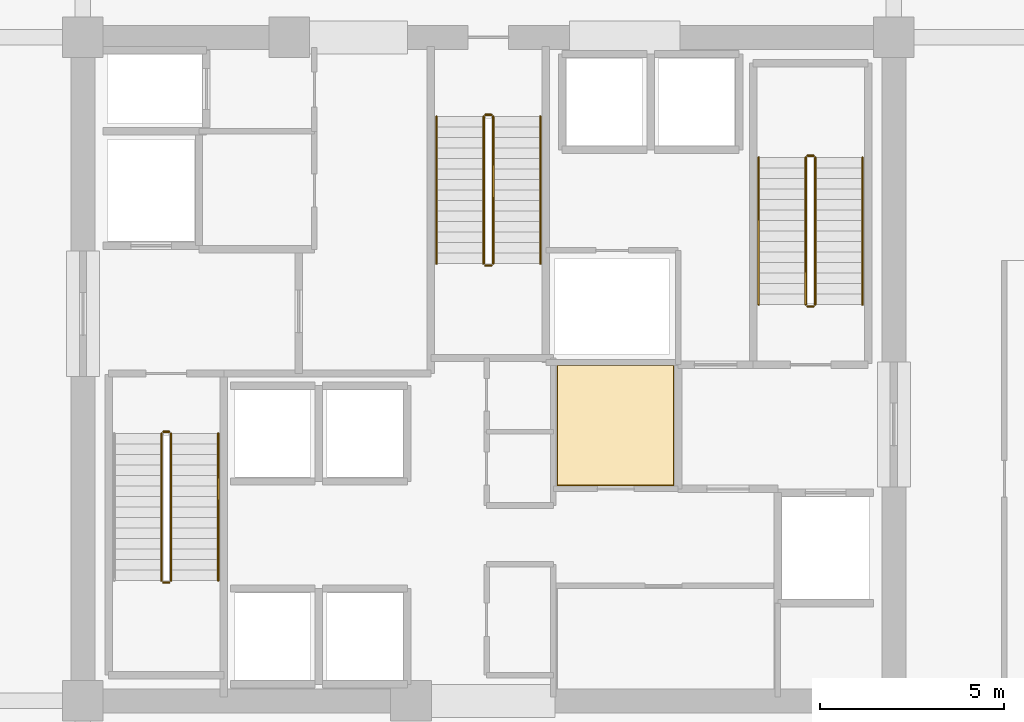
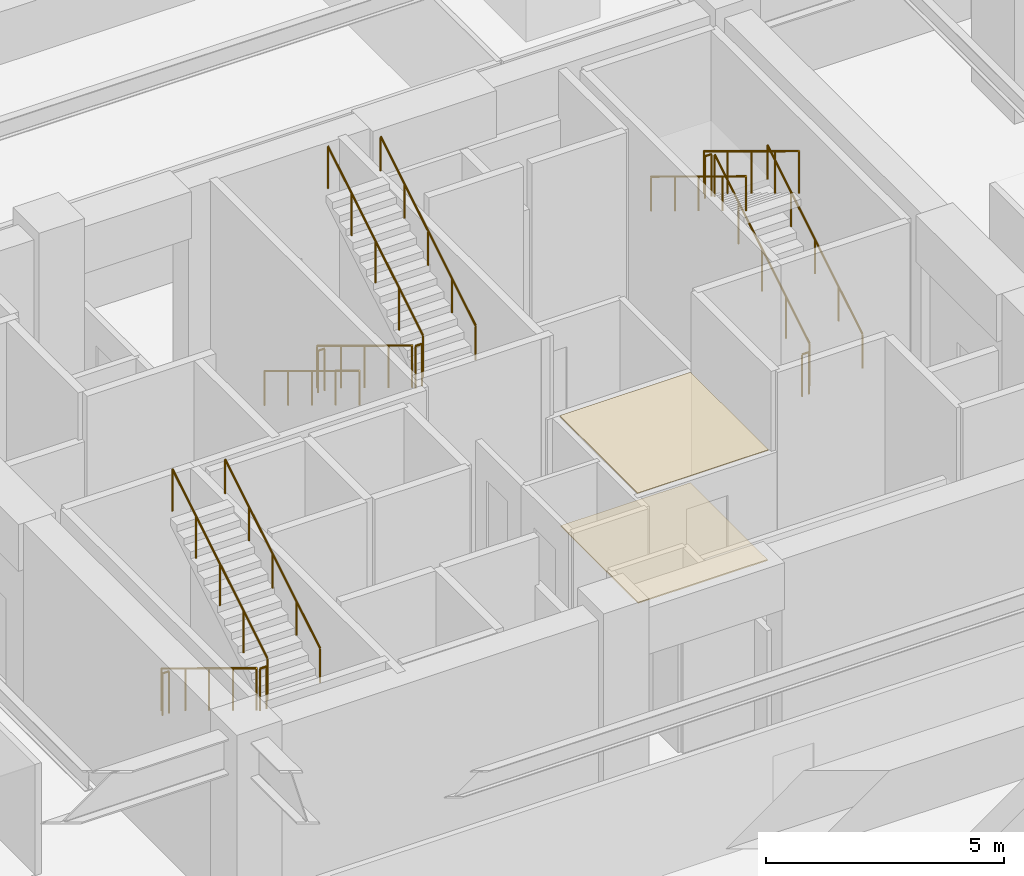
# One storey, part 34 of 35: 17 railings, 2 coverings.
"""IFC4 building model written with IfcOpenShell, lengths in metres."""

from ifc_helpers import new_model, si_unit, direction, frame, origin, origin_2d, place, context, subcontext, project, spatial, polyline, circle, outline, extrude, material, layer, layer_set, type_object, element, save


model = new_model("IFC4")

# Units and contexts
model_context = context("Model", 3, precision=1e-05, world=origin(), true_north=direction((0.0, 1.0)))
body_context = subcontext(model_context, "Body", "Model", "MODEL_VIEW")
ifc_project = project(units=[si_unit("LENGTHUNIT", "METRE"), si_unit("AREAUNIT", "SQUARE_METRE"), si_unit("VOLUMEUNIT", "CUBIC_METRE"), si_unit("PLANEANGLEUNIT", "RADIAN"), si_unit("MASSUNIT", "GRAM", prefix="KILO")], contexts=[model_context])

# Site, building, storey
site_placement = place(None, origin())
site = spatial("IfcSite", under=ifc_project, at=site_placement, CompositionType="ELEMENT")
building_placement = place(site_placement, origin())
building = spatial("IfcBuilding", under=site, at=building_placement, Name="Kovane Verandah Tower", CompositionType="ELEMENT")
storey_placement = place(building_placement, frame((0.0, 0.0, 16.39990234375)))
storey = spatial("IfcBuildingStorey", under=building, at=storey_placement, Name="L03", CompositionType="ELEMENT", Elevation=16.39990234375)

# Coverings
ifc_material_1 = material(Name="Perforated Acoustic Mineral-Fibre Ceiling Tile", Category="gypsum")
ifc_layer_1 = layer(ifc_material_1, 0.02490234375)
ifc_layer_set_1 = layer_set([ifc_layer_1], Name="Perforated Acoustic Mineral-Fibre Ceiling Tile")
covering_type_1 = type_object("IfcCoveringType", Name="CV-CEIL-25", PredefinedType="CEILING", material=ifc_layer_set_1)
covering_1_placement = place(storey_placement, frame((0.0, 0.0, 2.8251953125)))
element("IfcCovering", 1, at=covering_1_placement, inside=storey, type_object=covering_type_1, Name="L03 Document Archive Room Acoustic Ceiling", PredefinedType="CEILING", context=body_context, shape_type="SweptSolid", body=[
    extrude(outline(polyline([(41.864990234375, 24.3349609375), (45.034912109375, 24.3349609375), (45.034912109375, 27.614990234375), (41.864990234375, 27.614990234375), (41.864990234375, 24.3349609375)])), origin(), (0.0, 0.0, 1.0), 0.02490234375),
])
ifc_material_2 = material(Name="Polished Terrazzo and Raised-Access Carpet Tile Finish", Category="concrete")
ifc_layer_2 = layer(ifc_material_2, 0.030029296875)
ifc_layer_set_2 = layer_set([ifc_layer_2], Name="Polished Terrazzo and Raised-Access Carpet Tile Finish")
covering_type_2 = type_object("IfcCoveringType", Name="CV-FLOR-30", PredefinedType="FLOORING", material=ifc_layer_set_2)
covering_2_placement = place(storey_placement, origin())
element("IfcCovering", 2, at=covering_2_placement, inside=storey, type_object=covering_type_2, Name="L03 Document Archive Room Floor Finish", PredefinedType="FLOORING", context=body_context, shape_type="SweptSolid", body=[
    extrude(outline(polyline([(41.8798828125, 24.35009765625), (45.02001953125, 24.35009765625), (45.02001953125, 27.60009765625), (41.8798828125, 27.60009765625), (41.8798828125, 24.35009765625)])), origin(), (0.0, 0.0, 1.0), 0.030029296875),
])

# Railings
ifc_material_3 = material(Name="Brushed Stainless Steel Handrail", Category="steel")
railing_type_1 = type_object("IfcRailingType", Name="RL-HAND-920", PredefinedType="HANDRAIL", material=ifc_material_3)
for number, where, name in (
    (3, (32.669921875, 21.760009765625, 2.7734375), "L03 ST-01 stair handrail 2"),
    (4, (50.14990234375, 29.25, 0.17333984375), "L03 ST-02 stair handrail 1"),
):
    element("IfcRailing", number, at=place(storey_placement, frame(where)), inside=storey, type_object=railing_type_1, Name=name, PredefinedType="HANDRAIL", context=body_context, shape_type="SweptSolid", body=[
        extrude(circle(Radius=0.02392578125, at=origin_2d()), frame((0.0, 0.0, 0.8759765625), z_axis=(0.0, 0.854382233033, 0.519645071061), x_axis=(-1.0, 0.0, 0.0)), (0.0, 0.0, 1.0), 4.669921875),
        extrude(circle(Radius=0.02099609375, at=origin_2d()), origin(), (0.0, 0.0, 1.0), 0.851806640625),
        extrude(circle(Radius=0.02099609375, at=origin_2d()), frame((0.0, 0.99755859375, 0.606689453125)), (0.0, 0.0, 1.0), 0.851806640625),
        extrude(circle(Radius=0.02099609375, at=origin_2d()), frame((0.0, 1.9951171875, 1.21337890625)), (0.0, 0.0, 1.0), 0.851806640625),
        extrude(circle(Radius=0.02099609375, at=origin_2d()), frame((0.0, 2.992431640625, 1.820068359375)), (0.0, 0.0, 1.0), 0.851806640625),
        extrude(circle(Radius=0.02099609375, at=origin_2d()), frame((0.0, 3.989990234375, 2.4267578125)), (0.0, 0.0, 1.0), 0.851806640625),
    ])
for number, where, name in (
    (5, (47.330078125, 33.239990234375, 2.7734375), "L03 ST-02 stair handrail 2"),
    (6, (38.590087890625, 34.35009765625, 0.17333984375), "L03 ST-03 stair handrail 1"),
):
    element("IfcRailing", number, at=place(storey_placement, frame(where)), inside=storey, type_object=railing_type_1, Name=name, PredefinedType="HANDRAIL", context=body_context, shape_type="SweptSolid", body=[
        extrude(circle(Radius=0.02392578125, at=origin_2d()), frame((0.0, 0.0, 0.8759765625), z_axis=(0.0, -0.854382233033, 0.519645071061), x_axis=(1.0, 0.0, 0.0)), (0.0, 0.0, 1.0), 4.669921875),
        extrude(circle(Radius=0.02099609375, at=origin_2d()), origin(), (0.0, 0.0, 1.0), 0.851806640625),
        extrude(circle(Radius=0.02099609375, at=origin_2d()), frame((0.0, -0.99755859375, 0.606689453125)), (0.0, 0.0, 1.0), 0.851806640625),
        extrude(circle(Radius=0.02099609375, at=origin_2d()), frame((0.0, -1.9951171875, 1.21337890625)), (0.0, 0.0, 1.0), 0.851806640625),
        extrude(circle(Radius=0.02099609375, at=origin_2d()), frame((0.0, -2.992431640625, 1.820068359375)), (0.0, 0.0, 1.0), 0.851806640625),
        extrude(circle(Radius=0.02099609375, at=origin_2d()), frame((0.0, -3.989990234375, 2.4267578125)), (0.0, 0.0, 1.0), 0.851806640625),
    ])
railing_1_placement = place(storey_placement, frame((41.409912109375, 30.360107421875, 2.7734375)))
element("IfcRailing", 7, at=railing_1_placement, inside=storey, type_object=railing_type_1, Name="L03 ST-03 stair handrail 2", PredefinedType="HANDRAIL", context=body_context, shape_type="SweptSolid", body=[
    extrude(circle(Radius=0.02392578125, at=origin_2d()), frame((0.0, 0.0, 0.8759765625), z_axis=(0.0, 0.854382233033, 0.519645071061), x_axis=(-1.0, 0.0, 0.0)), (0.0, 0.0, 1.0), 4.669921875),
    extrude(circle(Radius=0.02099609375, at=origin_2d()), origin(), (0.0, 0.0, 1.0), 0.851806640625),
    extrude(circle(Radius=0.02099609375, at=origin_2d()), frame((0.0, 0.99755859375, 0.606689453125)), (0.0, 0.0, 1.0), 0.851806640625),
    extrude(circle(Radius=0.02099609375, at=origin_2d()), frame((0.0, 1.9951171875, 1.21337890625)), (0.0, 0.0, 1.0), 0.851806640625),
    extrude(circle(Radius=0.02099609375, at=origin_2d()), frame((0.0, 2.992431640625, 1.820068359375)), (0.0, 0.0, 1.0), 0.851806640625),
    extrude(circle(Radius=0.02099609375, at=origin_2d()), frame((0.0, 3.989990234375, 2.4267578125)), (0.0, 0.0, 1.0), 0.851806640625),
])
ifc_material_4 = material(Name="Painted Steel Stairwell Guardrail", Category="steel")
railing_type_2 = type_object("IfcRailingType", Name="RL-STGUARD-1120", PredefinedType="GUARDRAIL", material=ifc_material_4)
railing_2_placement = place(storey_placement, frame((31.1298828125, 25.75, 0.17333984375)))
element("IfcRailing", 8, at=railing_2_placement, inside=storey, type_object=railing_type_2, Name="L03 ST-01 stair guard 1", PredefinedType="GUARDRAIL", context=body_context, shape_type="SweptSolid", body=[
    extrude(circle(Radius=0.02392578125, at=origin_2d()), frame((0.0, 0.0, 1.076171875), z_axis=(0.0, -0.854382233033, 0.519645071061), x_axis=(1.0, 0.0, 0.0)), (0.0, 0.0, 1.0), 4.669921875),
    extrude(circle(Radius=0.02099609375, at=origin_2d()), origin(), (0.0, 0.0, 1.0), 1.052001953125),
    extrude(circle(Radius=0.02099609375, at=origin_2d()), frame((0.0, -0.99755859375, 0.606689453125)), (0.0, 0.0, 1.0), 1.052001953125),
    extrude(circle(Radius=0.02099609375, at=origin_2d()), frame((0.0, -1.9951171875, 1.21337890625)), (0.0, 0.0, 1.0), 1.052001953125),
    extrude(circle(Radius=0.02099609375, at=origin_2d()), frame((0.0, -2.992431640625, 1.820068359375)), (0.0, 0.0, 1.0), 1.052001953125),
    extrude(circle(Radius=0.02099609375, at=origin_2d()), frame((0.0, -3.989990234375, 2.4267578125)), (0.0, 0.0, 1.0), 1.052001953125),
])
railing_3_placement = place(storey_placement, frame((31.179931640625, 21.7099609375, 2.60009765625)))
element("IfcRailing", 9, at=railing_3_placement, inside=storey, type_object=railing_type_2, Name="L03 ST-01 stair guard 2", PredefinedType="GUARDRAIL", context=body_context, shape_type="SweptSolid", body=[
    extrude(circle(Radius=0.02392578125, at=origin_2d()), frame((0.0, 0.0, 1.076171875), z_axis=(1.0, 0.0, 0.0), x_axis=(0.0, 1.0, 0.0)), (0.0, 0.0, 1.0), 0.16015625),
    extrude(circle(Radius=0.02099609375, at=origin_2d()), origin(), (0.0, 0.0, 1.0), 1.052001953125),
    extrude(circle(Radius=0.02099609375, at=origin_2d()), frame((0.16015625, 0.0, 0.0)), (0.0, 0.0, 1.0), 1.052001953125),
])
railing_4_placement = place(storey_placement, frame((31.389892578125, 21.760009765625, 2.7734375)))
element("IfcRailing", 10, at=railing_4_placement, inside=storey, type_object=railing_type_2, Name="L03 ST-01 stair guard 3", PredefinedType="GUARDRAIL", context=body_context, shape_type="SweptSolid", body=[
    extrude(circle(Radius=0.02392578125, at=origin_2d()), frame((0.0, 0.0, 1.076171875), z_axis=(0.0, 0.854382233033, 0.519645071061), x_axis=(-1.0, 0.0, 0.0)), (0.0, 0.0, 1.0), 4.669921875),
    extrude(circle(Radius=0.02099609375, at=origin_2d()), origin(), (0.0, 0.0, 1.0), 1.052001953125),
    extrude(circle(Radius=0.02099609375, at=origin_2d()), frame((0.0, 0.99755859375, 0.606689453125)), (0.0, 0.0, 1.0), 1.052001953125),
    extrude(circle(Radius=0.02099609375, at=origin_2d()), frame((0.0, 1.9951171875, 1.21337890625)), (0.0, 0.0, 1.0), 1.052001953125),
    extrude(circle(Radius=0.02099609375, at=origin_2d()), frame((0.0, 2.992431640625, 1.820068359375)), (0.0, 0.0, 1.0), 1.052001953125),
    extrude(circle(Radius=0.02099609375, at=origin_2d()), frame((0.0, 3.989990234375, 2.4267578125)), (0.0, 0.0, 1.0), 1.052001953125),
])
railing_5_placement = place(storey_placement, frame((31.179931640625, 25.800048828125, 0.0)))
element("IfcRailing", 11, at=railing_5_placement, inside=storey, type_object=railing_type_2, Name="L03 ST-01 stair guard 4", PredefinedType="GUARDRAIL", context=body_context, shape_type="SweptSolid", body=[
    extrude(circle(Radius=0.02392578125, at=origin_2d()), frame((0.0, 0.0, 1.076171875), z_axis=(1.0, 0.0, 0.0), x_axis=(0.0, 1.0, 0.0)), (0.0, 0.0, 1.0), 0.16015625),
    extrude(circle(Radius=0.02099609375, at=origin_2d()), origin(), (0.0, 0.0, 1.0), 1.052001953125),
    extrude(circle(Radius=0.02099609375, at=origin_2d()), frame((0.16015625, 0.0, 0.0)), (0.0, 0.0, 1.0), 1.052001953125),
])
railing_6_placement = place(storey_placement, frame((48.8701171875, 29.25, 0.17333984375)))
element("IfcRailing", 12, at=railing_6_placement, inside=storey, type_object=railing_type_2, Name="L03 ST-02 stair guard 1", PredefinedType="GUARDRAIL", context=body_context, shape_type="SweptSolid", body=[
    extrude(circle(Radius=0.02392578125, at=origin_2d()), frame((0.0, 0.0, 1.076171875), z_axis=(0.0, 0.854382233033, 0.519645071061), x_axis=(-1.0, 0.0, 0.0)), (0.0, 0.0, 1.0), 4.669921875),
    extrude(circle(Radius=0.02099609375, at=origin_2d()), origin(), (0.0, 0.0, 1.0), 1.052001953125),
    extrude(circle(Radius=0.02099609375, at=origin_2d()), frame((0.0, 0.99755859375, 0.606689453125)), (0.0, 0.0, 1.0), 1.052001953125),
    extrude(circle(Radius=0.02099609375, at=origin_2d()), frame((0.0, 1.9951171875, 1.21337890625)), (0.0, 0.0, 1.0), 1.052001953125),
    extrude(circle(Radius=0.02099609375, at=origin_2d()), frame((0.0, 2.992431640625, 1.820068359375)), (0.0, 0.0, 1.0), 1.052001953125),
    extrude(circle(Radius=0.02099609375, at=origin_2d()), frame((0.0, 3.989990234375, 2.4267578125)), (0.0, 0.0, 1.0), 1.052001953125),
])
railing_7_placement = place(storey_placement, frame((48.820068359375, 33.2900390625, 2.60009765625)))
element("IfcRailing", 13, at=railing_7_placement, inside=storey, type_object=railing_type_2, Name="L03 ST-02 stair guard 2", PredefinedType="GUARDRAIL", context=body_context, shape_type="SweptSolid", body=[
    extrude(circle(Radius=0.02392578125, at=origin_2d()), frame((0.0, 0.0, 1.076171875), z_axis=(-1.0, 0.0, 0.0), x_axis=(0.0, -1.0, 0.0)), (0.0, 0.0, 1.0), 0.16015625),
    extrude(circle(Radius=0.02099609375, at=origin_2d()), origin(), (0.0, 0.0, 1.0), 1.052001953125),
    extrude(circle(Radius=0.02099609375, at=origin_2d()), frame((-0.16015625, 0.0, 0.0)), (0.0, 0.0, 1.0), 1.052001953125),
])
railing_8_placement = place(storey_placement, frame((48.610107421875, 33.239990234375, 2.7734375)))
element("IfcRailing", 14, at=railing_8_placement, inside=storey, type_object=railing_type_2, Name="L03 ST-02 stair guard 3", PredefinedType="GUARDRAIL", context=body_context, shape_type="SweptSolid", body=[
    extrude(circle(Radius=0.02392578125, at=origin_2d()), frame((0.0, 0.0, 1.076171875), z_axis=(0.0, -0.854382233033, 0.519645071061), x_axis=(1.0, 0.0, 0.0)), (0.0, 0.0, 1.0), 4.669921875),
    extrude(circle(Radius=0.02099609375, at=origin_2d()), origin(), (0.0, 0.0, 1.0), 1.052001953125),
    extrude(circle(Radius=0.02099609375, at=origin_2d()), frame((0.0, -0.99755859375, 0.606689453125)), (0.0, 0.0, 1.0), 1.052001953125),
    extrude(circle(Radius=0.02099609375, at=origin_2d()), frame((0.0, -1.9951171875, 1.21337890625)), (0.0, 0.0, 1.0), 1.052001953125),
    extrude(circle(Radius=0.02099609375, at=origin_2d()), frame((0.0, -2.992431640625, 1.820068359375)), (0.0, 0.0, 1.0), 1.052001953125),
    extrude(circle(Radius=0.02099609375, at=origin_2d()), frame((0.0, -3.989990234375, 2.4267578125)), (0.0, 0.0, 1.0), 1.052001953125),
])
railing_9_placement = place(storey_placement, frame((48.820068359375, 29.199951171875, 0.0)))
element("IfcRailing", 15, at=railing_9_placement, inside=storey, type_object=railing_type_2, Name="L03 ST-02 stair guard 4", PredefinedType="GUARDRAIL", context=body_context, shape_type="SweptSolid", body=[
    extrude(circle(Radius=0.02392578125, at=origin_2d()), frame((0.0, 0.0, 1.076171875), z_axis=(-1.0, 0.0, 0.0), x_axis=(0.0, -1.0, 0.0)), (0.0, 0.0, 1.0), 0.16015625),
    extrude(circle(Radius=0.02099609375, at=origin_2d()), origin(), (0.0, 0.0, 1.0), 1.052001953125),
    extrude(circle(Radius=0.02099609375, at=origin_2d()), frame((-0.16015625, 0.0, 0.0)), (0.0, 0.0, 1.0), 1.052001953125),
])
railing_10_placement = place(storey_placement, frame((39.8701171875, 34.35009765625, 0.17333984375)))
element("IfcRailing", 16, at=railing_10_placement, inside=storey, type_object=railing_type_2, Name="L03 ST-03 stair guard 1", PredefinedType="GUARDRAIL", context=body_context, shape_type="SweptSolid", body=[
    extrude(circle(Radius=0.02392578125, at=origin_2d()), frame((0.0, 0.0, 1.076171875), z_axis=(0.0, -0.854382233033, 0.519645071061), x_axis=(1.0, 0.0, 0.0)), (0.0, 0.0, 1.0), 4.669921875),
    extrude(circle(Radius=0.02099609375, at=origin_2d()), origin(), (0.0, 0.0, 1.0), 1.052001953125),
    extrude(circle(Radius=0.02099609375, at=origin_2d()), frame((0.0, -0.99755859375, 0.606689453125)), (0.0, 0.0, 1.0), 1.052001953125),
    extrude(circle(Radius=0.02099609375, at=origin_2d()), frame((0.0, -1.9951171875, 1.21337890625)), (0.0, 0.0, 1.0), 1.052001953125),
    extrude(circle(Radius=0.02099609375, at=origin_2d()), frame((0.0, -2.992431640625, 1.820068359375)), (0.0, 0.0, 1.0), 1.052001953125),
    extrude(circle(Radius=0.02099609375, at=origin_2d()), frame((0.0, -3.989990234375, 2.4267578125)), (0.0, 0.0, 1.0), 1.052001953125),
])
railing_11_placement = place(storey_placement, frame((39.919921875, 30.31005859375, 2.60009765625)))
element("IfcRailing", 17, at=railing_11_placement, inside=storey, type_object=railing_type_2, Name="L03 ST-03 stair guard 2", PredefinedType="GUARDRAIL", context=body_context, shape_type="SweptSolid", body=[
    extrude(circle(Radius=0.02392578125, at=origin_2d()), frame((0.0, 0.0, 1.076171875), z_axis=(1.0, 0.0, 0.0), x_axis=(0.0, 1.0, 0.0)), (0.0, 0.0, 1.0), 0.16015625),
    extrude(circle(Radius=0.02099609375, at=origin_2d()), origin(), (0.0, 0.0, 1.0), 1.052001953125),
    extrude(circle(Radius=0.02099609375, at=origin_2d()), frame((0.16015625, 0.0, 0.0)), (0.0, 0.0, 1.0), 1.052001953125),
])
railing_12_placement = place(storey_placement, frame((40.1298828125, 30.360107421875, 2.7734375)))
element("IfcRailing", 18, at=railing_12_placement, inside=storey, type_object=railing_type_2, Name="L03 ST-03 stair guard 3", PredefinedType="GUARDRAIL", context=body_context, shape_type="SweptSolid", body=[
    extrude(circle(Radius=0.02392578125, at=origin_2d()), frame((0.0, 0.0, 1.076171875), z_axis=(0.0, 0.854382233033, 0.519645071061), x_axis=(-1.0, 0.0, 0.0)), (0.0, 0.0, 1.0), 4.669921875),
    extrude(circle(Radius=0.02099609375, at=origin_2d()), origin(), (0.0, 0.0, 1.0), 1.052001953125),
    extrude(circle(Radius=0.02099609375, at=origin_2d()), frame((0.0, 0.99755859375, 0.606689453125)), (0.0, 0.0, 1.0), 1.052001953125),
    extrude(circle(Radius=0.02099609375, at=origin_2d()), frame((0.0, 1.9951171875, 1.21337890625)), (0.0, 0.0, 1.0), 1.052001953125),
    extrude(circle(Radius=0.02099609375, at=origin_2d()), frame((0.0, 2.992431640625, 1.820068359375)), (0.0, 0.0, 1.0), 1.052001953125),
    extrude(circle(Radius=0.02099609375, at=origin_2d()), frame((0.0, 3.989990234375, 2.4267578125)), (0.0, 0.0, 1.0), 1.052001953125),
])
railing_13_placement = place(storey_placement, frame((39.919921875, 34.39990234375, 0.0)))
element("IfcRailing", 19, at=railing_13_placement, inside=storey, type_object=railing_type_2, Name="L03 ST-03 stair guard 4", PredefinedType="GUARDRAIL", context=body_context, shape_type="SweptSolid", body=[
    extrude(circle(Radius=0.02392578125, at=origin_2d()), frame((0.0, 0.0, 1.076171875), z_axis=(1.0, 0.0, 0.0), x_axis=(0.0, 1.0, 0.0)), (0.0, 0.0, 1.0), 0.16015625),
    extrude(circle(Radius=0.02099609375, at=origin_2d()), origin(), (0.0, 0.0, 1.0), 1.052001953125),
    extrude(circle(Radius=0.02099609375, at=origin_2d()), frame((0.16015625, 0.0, 0.0)), (0.0, 0.0, 1.0), 1.052001953125),
])

save(model, "model.ifc")
